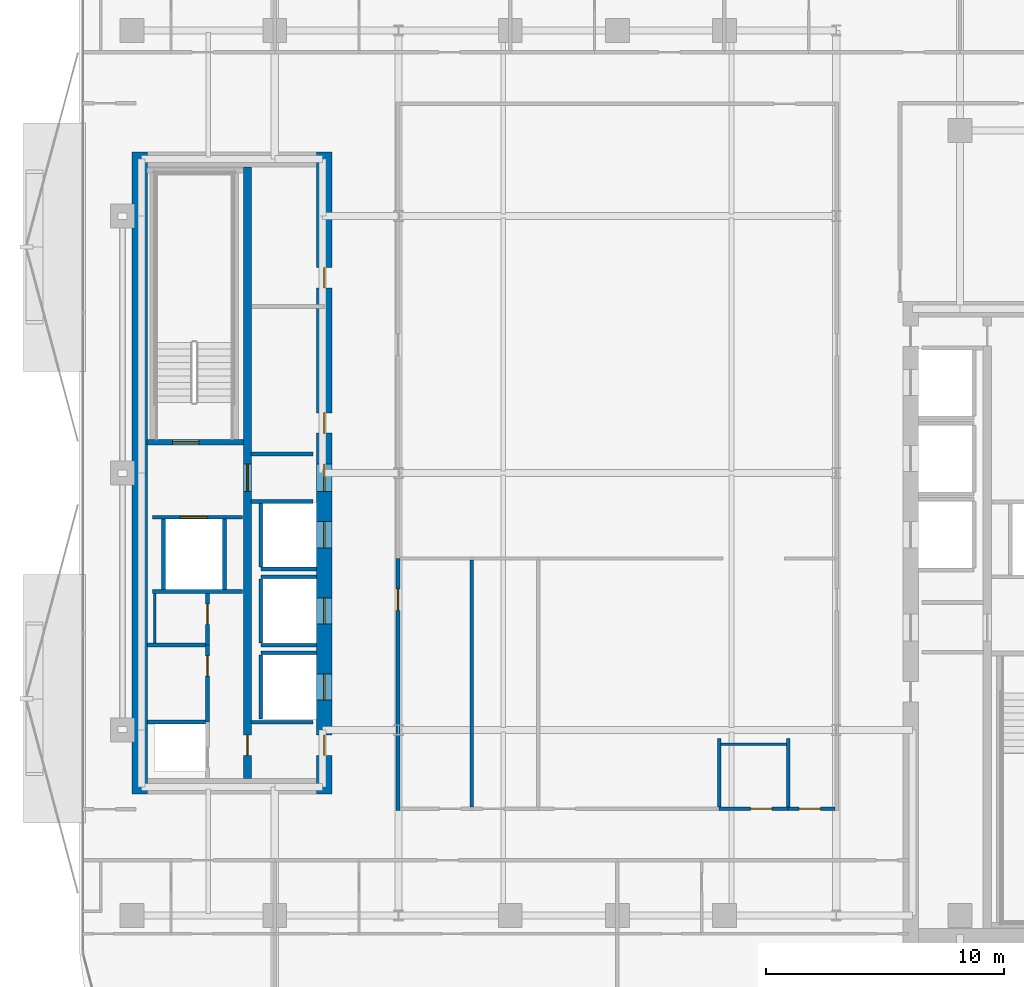
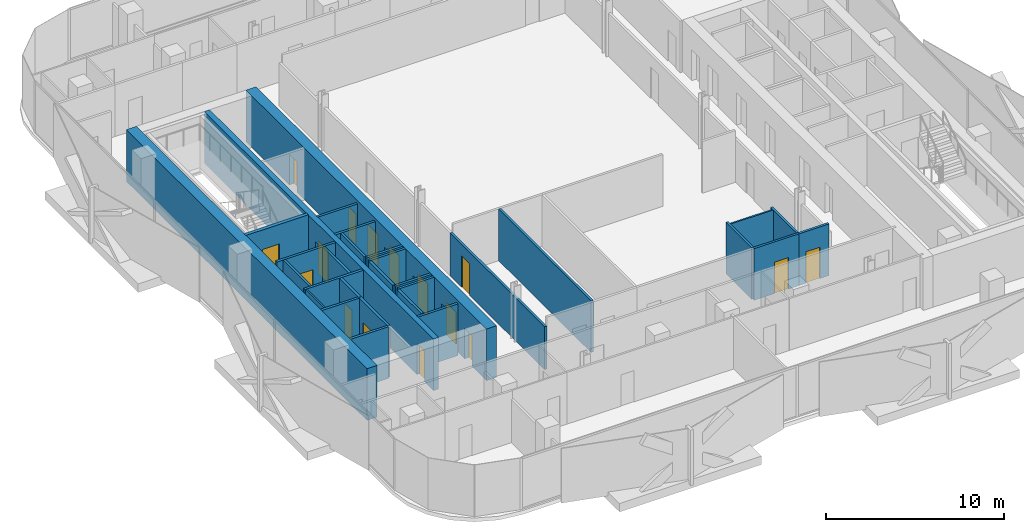
# One storey, part 4 of 17: 30 walls, 16 doors, 16 openings.
"""IFC4 building model written with IfcOpenShell, lengths in metres."""

import ifcopenshell
import ifcopenshell.guid

model = None  # the IFC model being written
_history = None  # IfcOwnerHistory: only IFC2X3 demands one
_inside = {}  # id of a spatial element -> (the spatial element, [elements in it])
_under = {}  # id of a project, library or spatial element -> (it, [spatial elements below it])
_declared = {}  # id of a project -> (the project, [libraries it declares])
_typed = {}  # id of a type object -> (the type object, [elements of that type])
_made_of = {}  # id of a material, layer set ... -> (it, [elements and type objects made of it])


def new_model(schema):
    """Start an empty IFC model of exactly this schema.

    Asked for "IFC4X3", IfcOpenShell would pick the latest addendum, in which some entities
    have other attributes; the version numbers below select the first issue.
    IFC2X3 requires an IfcOwnerHistory on every rooted entity: one is made here for all.
    """
    global model, _history
    if schema == "IFC4X3":
        model = ifcopenshell.file(schema_version=(4, 3, 0, 0))
    else:
        model = ifcopenshell.file(schema=schema)
    _inside.clear()
    _under.clear()
    _declared.clear()
    _typed.clear()
    _made_of.clear()
    _history = None
    if model.schema == "IFC2X3":
        org = make("IfcOrganization", Name="unknown")
        user = make(
            "IfcPersonAndOrganization",
            ThePerson=make("IfcPerson", FamilyName="unknown"),
            TheOrganization=org,
        )
        app = make(
            "IfcApplication",
            ApplicationDeveloper=org,
            Version="unknown",
            ApplicationFullName="unknown",
            ApplicationIdentifier="unknown",
        )
        _history = make(
            "IfcOwnerHistory",
            OwningUser=user,
            OwningApplication=app,
            ChangeAction="ADDED",
            CreationDate=0,
        )
    return model


def make(cls, **values):
    """One entity of the class cls with the attributes given. An attribute that is None is left unset."""
    return model.create_entity(
        cls, **{name: value for name, value in values.items() if value is not None}
    )


def rooted(cls, **values):
    """An entity with a GlobalId (a new one), such as an element, a storey or a relation."""
    return make(cls, GlobalId=ifcopenshell.guid.new(), OwnerHistory=_history, **values)


def si_unit(unit_type, name, prefix=None):
    """IfcSIUnit, for example si_unit("LENGTHUNIT", "METRE", prefix="MILLI")."""
    return make("IfcSIUnit", UnitType=unit_type, Prefix=prefix, Name=name)


def assignment(units):
    """IfcUnitAssignment: the units of a project."""
    return None if units is None else make("IfcUnitAssignment", Units=units)


def point(xyz):
    """IfcCartesianPoint."""
    return None if xyz is None else make("IfcCartesianPoint", Coordinates=xyz)


def direction(xyz):
    """IfcDirection."""
    return None if xyz is None else make("IfcDirection", DirectionRatios=xyz)


def frame(location, z_axis=None, x_axis=None):
    """IfcAxis2Placement3D, a coordinate frame: its origin and axes. An axis left out is left unset."""
    return make(
        "IfcAxis2Placement3D",
        Location=point(location),
        Axis=direction(z_axis),
        RefDirection=direction(x_axis),
    )


def frame_2d(location, x_axis=None):
    """IfcAxis2Placement2D, a coordinate frame in the plane: its origin and x axis."""
    return make(
        "IfcAxis2Placement2D", Location=point(location), RefDirection=direction(x_axis)
    )


def origin():
    """The frame at (0, 0, 0) with its axes left unset."""
    return frame((0.0, 0.0, 0.0))


def place(relative_to, where):
    """IfcLocalPlacement: puts the frame where relative to a parent placement (None: the world)."""
    return make(
        "IfcLocalPlacement", PlacementRelTo=relative_to, RelativePlacement=where
    )


def context(
    kind, dimensions, precision=None, world=None, true_north=None, identifier=None
):
    """IfcGeometricRepresentationContext, for example the 3D "Model" context."""
    return make(
        "IfcGeometricRepresentationContext",
        ContextIdentifier=identifier,
        ContextType=kind,
        CoordinateSpaceDimension=dimensions,
        Precision=precision,
        WorldCoordinateSystem=world,
        TrueNorth=true_north,
    )


def subcontext(parent, identifier, kind, view, scale=None):
    """IfcGeometricRepresentationSubContext, for example "Body" below "Model"."""
    return make(
        "IfcGeometricRepresentationSubContext",
        ContextIdentifier=identifier,
        ContextType=kind,
        ParentContext=parent,
        TargetScale=scale,
        TargetView=view,
    )


def project(units=None, contexts=None):
    """IfcProject with its units and contexts."""
    return rooted(
        "IfcProject",
        Name="project",
        RepresentationContexts=contexts,
        UnitsInContext=assignment(units),
    )


def spatial(cls, under=None, at=None, **own):
    """A site, building, storey or space (cls), placed at a placement, below another one or the project."""
    s = rooted(cls, ObjectPlacement=at, **own)
    if under is not None:
        _under.setdefault(under.id(), (under, []))[1].append(s)
    return s


def profile(cls, at=None, kind="AREA", **sizes):
    """A parametric profile (cls). Its sizes go by their IFC names, for example OverallWidth=200.0."""
    return make(cls, ProfileType=kind, Position=at, **sizes)


def rectangle(**sizes):
    """IfcRectangleProfileDef."""
    return profile("IfcRectangleProfileDef", **sizes)


def extrude(swept, where, along, depth):
    """IfcExtrudedAreaSolid: the profile swept, set in the frame where, extruded along a direction by depth."""
    return make(
        "IfcExtrudedAreaSolid",
        SweptArea=swept,
        Position=where,
        ExtrudedDirection=direction(along),
        Depth=depth,
    )


def shape(context_of_items, identifier, shape_type, items):
    """IfcShapeRepresentation: the items that make up one representation, for example the "Body"."""
    return make(
        "IfcShapeRepresentation",
        ContextOfItems=context_of_items,
        RepresentationIdentifier=identifier,
        RepresentationType=shape_type,
        Items=items,
    )


def material(Name=None, Category=None):
    """IfcMaterial."""
    return make("IfcMaterial", Name=Name, Category=Category)


def layer(
    of_material, thickness, ventilated=None, Name=None, Category=None, Priority=None
):
    """IfcMaterialLayer: one layer of a wall or slab, of a material (None: an air gap)."""
    return make(
        "IfcMaterialLayer",
        Material=of_material,
        LayerThickness=thickness,
        IsVentilated=ventilated,
        Name=Name,
        Category=Category,
        Priority=Priority,
    )


def layer_set(layers, Name=None):
    """IfcMaterialLayerSet."""
    return make("IfcMaterialLayerSet", MaterialLayers=layers, LayerSetName=Name)


def made_of(thing, what):
    """Note that an element or type object is made of a material, layer set ...; save() writes the relation."""
    if what is not None:
        _made_of.setdefault(what.id(), (what, []))[1].append(thing)
    return thing


def type_object(cls, material=None, **own):
    """A type object (cls), such as IfcWallType, which elements share."""
    return made_of(rooted(cls, **own), material)


def element(
    cls,
    number,
    at=None,
    inside=None,
    cuts=None,
    type_object=None,
    material=None,
    context=None,
    identifier="Body",
    shape_type=None,
    held_by="IfcProductDefinitionShape",
    body=None,
    shapes=None,
    **own,
):
    """One element of the class cls, such as IfcWall. Its Tag is "e" and its number.

    at: its placement. inside: the storey or other place that contains it. cuts: it is an
    opening in that element (IfcRelVoidsElement). A single representation is given by context,
    identifier, shape_type and body (its items); several are given by shapes. held_by: the class
    of the entity that holds the representations. save() writes the other relations.
    """
    e = rooted(cls, Tag="e%d" % number, ObjectPlacement=at, **own)
    if body is not None:
        shapes = [shape(context, identifier, shape_type, body)]
    if shapes is not None:
        e.Representation = make(held_by, Representations=shapes)
    if inside is not None:
        _inside.setdefault(inside.id(), (inside, []))[1].append(e)
    if cuts is not None:
        rooted(
            "IfcRelVoidsElement", RelatingBuildingElement=cuts, RelatedOpeningElement=e
        )
    if type_object is not None:
        _typed.setdefault(type_object.id(), (type_object, []))[1].append(e)
    return made_of(e, material)


def fill(opening, filler):
    """IfcRelFillsElement: the door or window that sits in an opening."""
    return rooted(
        "IfcRelFillsElement",
        RelatingOpeningElement=opening,
        RelatedBuildingElement=filler,
    )


def aggregate(whole, parts):
    """IfcRelAggregates: a whole, such as a stair, and the parts it consists of."""
    return rooted("IfcRelAggregates", RelatingObject=whole, RelatedObjects=parts)


def save(model, path):
    """Write the relations noted so far, then the file.

    IfcRelAggregates (storeys below a building ...), IfcRelContainedInSpatialStructure (elements
    in a storey), IfcRelDefinesByType, IfcRelAssociatesMaterial and IfcRelDeclares: one each for
    every whole, place, type object, material and project.
    """
    for whole, parts in _under.values():
        aggregate(whole, parts)
    for where, things in _inside.values():
        rooted(
            "IfcRelContainedInSpatialStructure",
            RelatedElements=things,
            RelatingStructure=where,
        )
    for kind, things in _typed.values():
        rooted("IfcRelDefinesByType", RelatedObjects=things, RelatingType=kind)
    for what, things in _made_of.values():
        rooted("IfcRelAssociatesMaterial", RelatedObjects=things, RelatingMaterial=what)
    for by, libraries in _declared.values():
        rooted("IfcRelDeclares", RelatingContext=by, RelatedDefinitions=libraries)
    model.write(path)


model = new_model("IFC4")

# Units and contexts
model_context = context("Model", 3, precision=1e-05, world=origin(), true_north=direction((0.0, 1.0)))
body_context = subcontext(model_context, "Body", "Model", "MODEL_VIEW")
ifc_project = project(units=[si_unit("LENGTHUNIT", "METRE"), si_unit("AREAUNIT", "SQUARE_METRE"), si_unit("VOLUMEUNIT", "CUBIC_METRE"), si_unit("PLANEANGLEUNIT", "RADIAN"), si_unit("MASSUNIT", "GRAM", prefix="KILO")], contexts=[model_context])

# Site, building, storey
site_placement = place(None, origin())
site = spatial("IfcSite", under=ifc_project, at=site_placement, CompositionType="ELEMENT")
building_placement = place(site_placement, origin())
building = spatial("IfcBuilding", under=site, at=building_placement, Name="Khairoan Windgate Tower", CompositionType="ELEMENT")
storey_placement = place(building_placement, frame((0.0, 0.0, 165.0)))
storey = spatial("IfcBuildingStorey", under=building, at=storey_placement, Name="L37", CompositionType="ELEMENT", Elevation=165.0)

# Walls
ifc_material_1 = material(Name="Moisture-Resistant Gypsum Partition", Category="gypsum")
ifc_layer_1 = layer(ifc_material_1, 0.10009765625, Name="Moisture-Resistant Gypsum Partition")
ifc_layer_set_1 = layer_set([ifc_layer_1], Name="Moisture-Resistant Gypsum Partition")
wall_type_1 = type_object("IfcWallType", Name="Bathroom Wet-Area Partition Wall", PredefinedType="PARTITIONING", material=ifc_layer_set_1)
wall_1_placement = place(storey_placement, frame((-19.449951171875, -7.14990234375, 0.0), z_axis=(0.0, 0.0, 1.0), x_axis=(0.0, 1.0, 0.0)))
element("IfcWall", 1, at=wall_1_placement, inside=storey, type_object=wall_type_1, Name="L37 Wet Room Side Wall 087", PredefinedType="PARTITIONING", context=body_context, shape_type="SweptSolid", body=[
    extrude(rectangle(XDim=2.08984375, YDim=0.10009765625, at=frame_2d((1.044921875, 0.0))), origin(), (0.0, 0.0, 1.0), 3.5400390625),
])
wall_2_placement = place(storey_placement, frame((4.35009765625, -11.39990234375, 0.0), z_axis=(0.0, 0.0, 1.0), x_axis=(1.0, 0.0, 0.0)))
element("IfcWall", 2, at=wall_2_placement, inside=storey, type_object=wall_type_1, Name="L37 Wet Room Side Wall 089", PredefinedType="PARTITIONING", context=body_context, shape_type="SweptSolid", body=[
    extrude(rectangle(XDim=2.760009765625, YDim=0.10009765625, at=frame_2d((1.3798828125, 0.0))), origin(), (0.0, 0.0, 1.0), 3.5400390625),
])
ifc_material_2 = material(Name="Concrete C40/50", Category="concrete")
ifc_layer_2 = layer(ifc_material_2, 0.159912109375, Name="Concrete C40/50")
ifc_layer_set_2 = layer_set([ifc_layer_2], Name="Concrete C40/50")
wall_type_2 = type_object("IfcWallType", Name="Core and Hoistway Enclosure Wall", PredefinedType="STANDARD", material=ifc_layer_set_2)
wall_3_placement = place(storey_placement, frame((-14.989990234375, -4.0400390625, 0.0), z_axis=(0.0, 0.0, 1.0), x_axis=(1.0, 0.0, 0.0)))
element("IfcWall", 3, at=wall_3_placement, inside=storey, type_object=wall_type_2, Name="L37 Lift PL4 Hoistway Divider S", PredefinedType="STANDARD", context=body_context, shape_type="SweptSolid", body=[
    extrude(rectangle(XDim=2.340087890625, YDim=0.159912109375, at=frame_2d((1.169921875, 0.0))), origin(), (0.0, 0.0, 1.0), 3.5400390625),
])
wall_4_placement = place(storey_placement, frame((-14.989990234375, -3.949951171875, 0.0), z_axis=(0.0, 0.0, 1.0), x_axis=(0.0, 1.0, 0.0)))
element("IfcWall", 4, at=wall_4_placement, inside=storey, type_object=wall_type_2, Name="L37 Lift PL4 Hoistway Back Wall", PredefinedType="STANDARD", context=body_context, shape_type="SweptSolid", body=[
    extrude(rectangle(XDim=2.699951171875, YDim=0.159912109375, at=frame_2d((1.35009765625, 0.0))), origin(), (0.0, 0.0, 1.0), 3.5400390625),
])
for number, where, z_axis, x_axis, name in (
    (5, (-14.989990234375, -7.239990234375, 0.0), (0.0, 0.0, 1.0), (1.0, 0.0, 0.0), "L37 Lift PL5 Hoistway Divider S"),
    (6, (-14.989990234375, -4.360107421875, 0.0), (0.0, 0.0, 1.0), (1.0, 0.0, 0.0), "L37 Lift PL5 Hoistway Divider N"),
):
    element("IfcWall", number, at=place(storey_placement, frame(where, z_axis=z_axis, x_axis=x_axis)), inside=storey, type_object=wall_type_2, Name=name, PredefinedType="STANDARD", context=body_context, shape_type="SweptSolid", body=[
        extrude(rectangle(XDim=2.340087890625, YDim=0.159912109375, at=frame_2d((1.169921875, 0.0))), origin(), (0.0, 0.0, 1.0), 3.5400390625),
    ])
wall_5_placement = place(storey_placement, frame((-14.989990234375, -7.14990234375, 0.0), z_axis=(0.0, 0.0, 1.0), x_axis=(0.0, 1.0, 0.0)))
element("IfcWall", 7, at=wall_5_placement, inside=storey, type_object=wall_type_2, Name="L37 Lift PL5 Hoistway Back Wall", PredefinedType="STANDARD", context=body_context, shape_type="SweptSolid", body=[
    extrude(rectangle(XDim=2.699951171875, YDim=0.159912109375, at=frame_2d((1.35009765625, 0.0))), origin(), (0.0, 0.0, 1.0), 3.5400390625),
])
wall_6_placement = place(storey_placement, frame((-14.989990234375, -7.56005859375, 0.0), z_axis=(0.0, 0.0, 1.0), x_axis=(1.0, 0.0, 0.0)))
element("IfcWall", 8, at=wall_6_placement, inside=storey, type_object=wall_type_2, Name="L37 Lift PL6 Hoistway Divider N", PredefinedType="STANDARD", context=body_context, shape_type="SweptSolid", body=[
    extrude(rectangle(XDim=2.340087890625, YDim=0.159912109375, at=frame_2d((1.169921875, 0.0))), origin(), (0.0, 0.0, 1.0), 3.5400390625),
])
wall_7_placement = place(storey_placement, frame((-14.989990234375, -10.35009765625, 0.0), z_axis=(0.0, 0.0, 1.0), x_axis=(0.0, 1.0, 0.0)))
element("IfcWall", 9, at=wall_7_placement, inside=storey, type_object=wall_type_2, Name="L37 Lift PL6 Hoistway Back Wall", PredefinedType="STANDARD", context=body_context, shape_type="SweptSolid", body=[
    extrude(rectangle(XDim=2.7001953125, YDim=0.159912109375, at=frame_2d((1.35009765625, 0.0))), origin(), (0.0, 0.0, 1.0), 3.5400390625),
])

# Wall, opening, door
wall_8_placement = place(storey_placement, frame((-19.550048828125, -1.860107421875, 0.0), z_axis=(0.0, 0.0, 1.0), x_axis=(1.0, 0.0, 0.0)))
wall_8 = element("IfcWall", 10, at=wall_8_placement, inside=storey, type_object=wall_type_2, Name="L37 Core Shaft Wall SW-FL2-L37", PredefinedType="STANDARD", context=body_context, shape_type="SweptSolid", body=[
    extrude(rectangle(XDim=3.800048828125, YDim=0.159912109375, at=frame_2d((1.89990234375, 0.0))), origin(), (0.0, 0.0, 1.0), 3.5400390625),
])
opening_1_placement = place(wall_8_placement, frame((1.179931640625, 0.0, 0.0)))
opening_1 = element("IfcOpeningElement", 11, at=opening_1_placement, cuts=wall_8, Name="Opening LD-FL", PredefinedType="OPENING", context=body_context, shape_type="SweptSolid", body=[
    extrude(rectangle(XDim=1.14990234375, YDim=2.199951171875, at=frame_2d((0.574951171875, 1.10009765625))), frame((0.0, 0.08984375, 0.0), z_axis=(0.0, -1.0, 0.0), x_axis=(1.0, 0.0, 0.0)), (0.0, 0.0, 1.0), 0.179931640625),
])
ifc_material_3 = material(Name="Steel S355", Category="steel")
door_type_1 = type_object("IfcDoorType", Name="Firefighting Lift Sliding Landing Door LD-FL 1150x2200", OperationType="DOUBLE_DOOR_SLIDING", PredefinedType="DOOR", material=ifc_material_3)
door_1_placement = place(opening_1_placement, origin())
door_1 = element("IfcDoor", 12, at=door_1_placement, inside=storey, type_object=door_type_1, Name="L37 Firefighting Lift FL2 Landing Door", OperationType="DOUBLE_DOOR_SLIDING", OverallHeight=2.199951171875, OverallWidth=1.14990234375, PredefinedType="DOOR", context=body_context, shape_type="SweptSolid", body=[
    extrude(rectangle(XDim=1.14990234375, YDim=2.199951171875, at=frame_2d((0.574951171875, 1.10009765625))), frame((0.0, 0.02490234375, 0.0), z_axis=(0.0, -1.0, 0.0), x_axis=(1.0, 0.0, 0.0)), (0.0, 0.0, 1.0), 0.050048828125),
])
fill(opening_1, door_1)

# Walls
wall_9_placement = place(storey_placement, frame((-19.550048828125, -4.97998046875, 0.0), z_axis=(0.0, 0.0, 1.0), x_axis=(1.0, 0.0, 0.0)))
element("IfcWall", 13, at=wall_9_placement, inside=storey, type_object=wall_type_2, Name="L37 Core Shaft Wall SW-FL2B-L37", PredefinedType="STANDARD", context=body_context, shape_type="SweptSolid", body=[
    extrude(rectangle(XDim=3.800048828125, YDim=0.159912109375, at=frame_2d((1.89990234375, 0.0))), origin(), (0.0, 0.0, 1.0), 3.5400390625),
])
for number, where, z_axis, x_axis, name in (
    (14, (-19.080078125, -4.89990234375, 0.0), (0.0, 0.0, 1.0), (0.0, 1.0, 0.0), "L37 Core Shaft Wall SW-FL2W-L37"),
    (15, (-16.52001953125, -4.89990234375, 0.0), (0.0, 0.0, 1.0), (0.0, 1.0, 0.0), "L37 Core Shaft Wall SW-FL2E-L37"),
):
    element("IfcWall", number, at=place(storey_placement, frame(where, z_axis=z_axis, x_axis=x_axis)), inside=storey, type_object=wall_type_2, Name=name, PredefinedType="STANDARD", context=body_context, shape_type="SweptSolid", body=[
        extrude(rectangle(XDim=2.9599609375, YDim=0.159912109375, at=frame_2d((1.47998046875, 0.0))), origin(), (0.0, 0.0, 1.0), 3.5400390625),
    ])
for number, where, z_axis, x_axis, name in (
    (16, (-15.39990234375, 0.800048828125, 0.0), (0.0, 0.0, 1.0), (1.0, 0.0, 0.0), "L37 Core Shaft Wall SW-WV1-L37"),
    (17, (-15.39990234375, -1.199951171875, 0.0), (0.0, 0.0, 1.0), (1.0, 0.0, 0.0), "L37 Core Shaft Wall SW-WV2-L37"),
    (18, (-15.39990234375, -10.47998046875, 0.0), (0.0, 0.0, 1.0), (1.0, 0.0, 0.0), "L37 Core Shaft Wall SW-WSV-L37"),
):
    element("IfcWall", number, at=place(storey_placement, frame(where, z_axis=z_axis, x_axis=x_axis)), inside=storey, type_object=wall_type_2, Name=name, PredefinedType="STANDARD", context=body_context, shape_type="SweptSolid", body=[
        extrude(rectangle(XDim=2.599853515625, YDim=0.159912109375, at=frame_2d((1.2998046875, 0.0))), origin(), (0.0, 0.0, 1.0), 3.5400390625),
    ])
ifc_material_4 = material(Name="Acoustic Fire-Rated Gypsum Partition", Category="gypsum")
ifc_layer_3 = layer(ifc_material_4, 0.139892578125, Name="Acoustic Fire-Rated Gypsum Partition")
ifc_layer_set_3 = layer_set([ifc_layer_3], Name="Acoustic Fire-Rated Gypsum Partition")
wall_type_3 = type_object("IfcWallType", Name="Inter-Tenancy Compartment Wall", PredefinedType="PARTITIONING", material=ifc_layer_set_3)
wall_10_placement = place(storey_placement, frame((-6.1201171875, -14.044921875, 0.0), z_axis=(0.0, 0.0, 1.0), x_axis=(0.0, 1.0, 0.0)))
element("IfcWall", 19, at=wall_10_placement, inside=storey, type_object=wall_type_3, Name="L37 Interior Partition 042", PredefinedType="PARTITIONING", context=body_context, shape_type="SweptSolid", body=[
    extrude(rectangle(XDim=10.375, YDim=0.139892578125, at=frame_2d((5.1875, 0.0))), origin(), (0.0, 0.0, 1.0), 3.5400390625),
])
for number, where, z_axis, x_axis, name in (
    (20, (4.280029296875, -14.044921875, 0.0), (0.0, 0.0, 1.0), (0.0, 1.0, 0.0), "L37 Interior Partition 046"),
    (21, (7.179931640625, -14.044921875, 0.0), (0.0, 0.0, 1.0), (0.0, 1.0, 0.0), "L37 Interior Partition 048"),
):
    element("IfcWall", number, at=place(storey_placement, frame(where, z_axis=z_axis, x_axis=x_axis)), inside=storey, type_object=wall_type_3, Name=name, PredefinedType="PARTITIONING", context=body_context, shape_type="SweptSolid", body=[
        extrude(rectangle(XDim=2.885009765625, YDim=0.139892578125, at=frame_2d((1.4423828125, 0.0))), origin(), (0.0, 0.0, 1.0), 3.5400390625),
    ])

# Wall, opening, door
ifc_material_5 = material(Name="Concrete C40/50", Category="concrete")
ifc_layer_4 = layer(ifc_material_5, 0.159912109375, Name="Concrete C40/50")
ifc_layer_set_4 = layer_set([ifc_layer_4], Name="Concrete C40/50")
wall_type_4 = type_object("IfcWallType", Name="Plant and Refuge Compartment Wall", PredefinedType="PARTITIONING", material=ifc_layer_set_4)
wall_11_placement = place(storey_placement, frame((-17.22998046875, -7.22998046875, 0.0), z_axis=(0.0, 0.0, 1.0), x_axis=(0.0, 1.0, 0.0)))
wall_11 = element("IfcWall", 22, at=wall_11_placement, inside=storey, type_object=wall_type_4, Name="L37 Interior Partition 002", PredefinedType="PARTITIONING", context=body_context, shape_type="SweptSolid", body=[
    extrude(rectangle(XDim=2.169921875, YDim=0.159912109375, at=frame_2d((1.0849609375, 0.0))), origin(), (0.0, 0.0, 1.0), 3.5400390625),
])
opening_2_placement = place(wall_11_placement, frame((0.860107421875, 0.0, 0.0)))
opening_2 = element("IfcOpeningElement", 23, at=opening_2_placement, cuts=wall_11, Name="Opening FD-SRV", PredefinedType="OPENING", context=body_context, shape_type="SweptSolid", body=[
    extrude(rectangle(XDim=0.85009765625, YDim=2.10009765625, at=frame_2d((0.425048828125, 1.050048828125))), frame((0.0, 0.08984375, 0.0), z_axis=(0.0, -1.0, 0.0), x_axis=(1.0, 0.0, 0.0)), (0.0, 0.0, 1.0), 0.179931640625),
])
ifc_material_6 = material(Name="Steel S355", Category="steel")
door_type_2 = type_object("IfcDoorType", Name="Core Service and Riser Fire Door FD-SRV 850x2100", OperationType="NOTDEFINED", PredefinedType="DOOR", material=ifc_material_6)
door_2_placement = place(opening_2_placement, origin())
door_2 = element("IfcDoor", 24, at=door_2_placement, inside=storey, type_object=door_type_2, Name="L37 L37-04-L37-06 Door", OperationType="SINGLE_SWING_LEFT", OverallHeight=2.10009765625, OverallWidth=0.85009765625, PredefinedType="DOOR", context=body_context, shape_type="SweptSolid", body=[
    extrude(rectangle(XDim=0.85009765625, YDim=2.10009765625, at=frame_2d((0.425048828125, 1.050048828125))), frame((0.0, 0.02490234375, 0.0), z_axis=(0.0, -1.0, 0.0), x_axis=(1.0, 0.0, 0.0)), (0.0, 0.0, 1.0), 0.050048828125),
])
fill(opening_2, door_2)

wall_12_placement = place(storey_placement, frame((-17.22998046875, -10.469970703125, 0.0), z_axis=(0.0, 0.0, 1.0), x_axis=(0.0, 1.0, 0.0)))
wall_12 = element("IfcWall", 25, at=wall_12_placement, inside=storey, type_object=wall_type_4, Name="L37 Interior Partition 003", PredefinedType="PARTITIONING", context=body_context, shape_type="SweptSolid", body=[
    extrude(rectangle(XDim=3.239990234375, YDim=0.159912109375, at=frame_2d((1.6201171875, 0.0))), origin(), (0.0, 0.0, 1.0), 3.5400390625),
])
opening_3_placement = place(wall_12_placement, frame((1.929931640625, 0.0, 0.0)))
opening_3 = element("IfcOpeningElement", 26, at=opening_3_placement, cuts=wall_12, Name="Opening FD-SRV", PredefinedType="OPENING", context=body_context, shape_type="SweptSolid", body=[
    extrude(rectangle(XDim=0.85009765625, YDim=2.10009765625, at=frame_2d((0.425048828125, 1.050048828125))), frame((0.0, 0.08984375, 0.0), z_axis=(0.0, -1.0, 0.0), x_axis=(1.0, 0.0, 0.0)), (0.0, 0.0, 1.0), 0.179931640625),
])
door_3_placement = place(opening_3_placement, origin())
door_3 = element("IfcDoor", 27, at=door_3_placement, inside=storey, type_object=door_type_2, Name="L37 L37-04-L37-07 Door", OperationType="SINGLE_SWING_RIGHT", OverallHeight=2.10009765625, OverallWidth=0.85009765625, PredefinedType="DOOR", context=body_context, shape_type="SweptSolid", body=[
    extrude(rectangle(XDim=0.85009765625, YDim=2.10009765625, at=frame_2d((0.425048828125, 1.050048828125))), frame((0.0, 0.02490234375, 0.0), z_axis=(0.0, -1.0, 0.0), x_axis=(1.0, 0.0, 0.0)), (0.0, 0.0, 1.0), 0.050048828125),
])
fill(opening_3, door_3)

# Walls
for number, where, z_axis, x_axis, name in (
    (28, (-19.75, -10.469970703125, 0.0), (0.0, 0.0, 1.0), (1.0, 0.0, 0.0), "L37 Interior Partition 004"),
    (29, (-19.75, -7.22998046875, 0.0), (0.0, 0.0, 1.0), (1.0, 0.0, 0.0), "L37 Interior Partition 005"),
):
    element("IfcWall", number, at=place(storey_placement, frame(where, z_axis=z_axis, x_axis=x_axis)), inside=storey, type_object=wall_type_4, Name=name, PredefinedType="PARTITIONING", context=body_context, shape_type="SweptSolid", body=[
        extrude(rectangle(XDim=2.43994140625, YDim=0.159912109375, at=frame_2d((1.219970703125, 0.0))), origin(), (0.0, 0.0, 1.0), 3.5400390625),
    ])

# Wall, opening, door
ifc_material_7 = material(Name="Acoustic Fire-Rated Gypsum Partition", Category="gypsum")
ifc_layer_5 = layer(ifc_material_7, 0.14990234375, Name="Acoustic Fire-Rated Gypsum Partition")
ifc_layer_set_5 = layer_set([ifc_layer_5], Name="Acoustic Fire-Rated Gypsum Partition")
wall_type_5 = type_object("IfcWallType", Name="Rated Corridor Partition Wall", PredefinedType="PARTITIONING", material=ifc_layer_set_5)
wall_13_placement = place(storey_placement, frame((-9.219970703125, -14.195068359375, 0.0), z_axis=(0.0, 0.0, 1.0), x_axis=(0.0, 1.0, 0.0)))
wall_13 = element("IfcWall", 30, at=wall_13_placement, inside=storey, type_object=wall_type_5, Name="L37 Interior Partition 012", PredefinedType="PARTITIONING", context=body_context, shape_type="SweptSolid", body=[
    extrude(rectangle(XDim=10.594970703125, YDim=0.14990234375, at=frame_2d((5.29736328125, 0.0))), origin(), (0.0, 0.0, 1.0), 2.951904296875),
])
opening_4_placement = place(wall_13_placement, frame((8.418701171875, 0.0, 0.0)))
opening_4 = element("IfcOpeningElement", 31, at=opening_4_placement, cuts=wall_13, Name="Opening FD-ENT", PredefinedType="OPENING", context=body_context, shape_type="SweptSolid", body=[
    extrude(rectangle(XDim=0.89990234375, YDim=2.14990234375, at=frame_2d((0.449951171875, 1.074951171875))), frame((0.0, 0.0849609375, 0.0), z_axis=(0.0, -1.0, 0.0), x_axis=(1.0, 0.0, 0.0)), (0.0, 0.0, 1.0), 0.169921875),
])
ifc_material_8 = material(Name="Timber Fire-Rated Core", Category="wood")
door_type_3 = type_object("IfcDoorType", Name="Unit and Office Fire Entrance Door FD-ENT 900x2150", OperationType="NOTDEFINED", PredefinedType="DOOR", material=ifc_material_8)
door_4_placement = place(opening_4_placement, origin())
door_4 = element("IfcDoor", 32, at=door_4_placement, inside=storey, type_object=door_type_3, Name="L37 L37-28-L37-32 Door", OperationType="SINGLE_SWING_RIGHT", OverallHeight=2.14990234375, OverallWidth=0.89990234375, PredefinedType="DOOR", context=body_context, shape_type="SweptSolid", body=[
    extrude(rectangle(XDim=0.89990234375, YDim=2.14990234375, at=frame_2d((0.449951171875, 1.074951171875))), frame((0.0, 0.02490234375, 0.0), z_axis=(0.0, -1.0, 0.0), x_axis=(1.0, 0.0, 0.0)), (0.0, 0.0, 1.0), 0.050048828125),
])
fill(opening_4, door_4)

wall_14_placement = place(storey_placement, frame((4.280029296875, -14.1201171875, 0.0), z_axis=(0.0, 0.0, 1.0), x_axis=(1.0, 0.0, 0.0)))
wall_14 = element("IfcWall", 33, at=wall_14_placement, inside=storey, type_object=wall_type_5, Name="L37 Interior Partition 033", PredefinedType="PARTITIONING", context=body_context, shape_type="SweptSolid", body=[
    extrude(rectangle(XDim=2.89990234375, YDim=0.14990234375, at=frame_2d((1.449951171875, 0.0))), origin(), (0.0, 0.0, 1.0), 3.5400390625),
])
opening_5_placement = place(wall_14_placement, frame((1.323974609375, 0.0, 0.0)))
opening_5 = element("IfcOpeningElement", 34, at=opening_5_placement, cuts=wall_14, Name="Opening FD-ENT", PredefinedType="OPENING", context=body_context, shape_type="SweptSolid", body=[
    extrude(rectangle(XDim=0.89990234375, YDim=2.14990234375, at=frame_2d((0.449951171875, 1.074951171875))), frame((0.0, 0.0849609375, 0.0), z_axis=(0.0, -1.0, 0.0), x_axis=(1.0, 0.0, 0.0)), (0.0, 0.0, 1.0), 0.169921875),
])
door_5_placement = place(opening_5_placement, origin())
door_5 = element("IfcDoor", 35, at=door_5_placement, inside=storey, type_object=door_type_3, Name="L37 L37-31-L37-35 Door", OperationType="SINGLE_SWING_RIGHT", OverallHeight=2.14990234375, OverallWidth=0.89990234375, PredefinedType="DOOR", context=body_context, shape_type="SweptSolid", body=[
    extrude(rectangle(XDim=0.89990234375, YDim=2.14990234375, at=frame_2d((0.449951171875, 1.074951171875))), frame((0.0, 0.02490234375, 0.0), z_axis=(0.0, -1.0, 0.0), x_axis=(1.0, 0.0, 0.0)), (0.0, 0.0, 1.0), 0.050048828125),
])
fill(opening_5, door_5)

wall_15_placement = place(storey_placement, frame((7.179931640625, -14.1201171875, 0.0), z_axis=(0.0, 0.0, 1.0), x_axis=(1.0, 0.0, 0.0)))
wall_15 = element("IfcWall", 36, at=wall_15_placement, inside=storey, type_object=wall_type_5, Name="L37 Interior Partition 034", PredefinedType="PARTITIONING", context=body_context, shape_type="SweptSolid", body=[
    extrude(rectangle(XDim=1.965087890625, YDim=0.14990234375, at=frame_2d((0.982421875, 0.0))), origin(), (0.0, 0.0, 1.0), 3.5400390625),
])
opening_6_placement = place(wall_15_placement, frame((0.4599609375, 0.0, 0.0)))
opening_6 = element("IfcOpeningElement", 37, at=opening_6_placement, cuts=wall_15, Name="Opening FD-ENT", PredefinedType="OPENING", context=body_context, shape_type="SweptSolid", body=[
    extrude(rectangle(XDim=0.89990234375, YDim=2.14990234375, at=frame_2d((0.449951171875, 1.074951171875))), frame((0.0, 0.0849609375, 0.0), z_axis=(0.0, -1.0, 0.0), x_axis=(1.0, 0.0, 0.0)), (0.0, 0.0, 1.0), 0.169921875),
])
door_6_placement = place(opening_6_placement, origin())
door_6 = element("IfcDoor", 38, at=door_6_placement, inside=storey, type_object=door_type_3, Name="L37 L37-31-L37-36 Door", OperationType="SINGLE_SWING_LEFT", OverallHeight=2.14990234375, OverallWidth=0.89990234375, PredefinedType="DOOR", context=body_context, shape_type="SweptSolid", body=[
    extrude(rectangle(XDim=0.89990234375, YDim=2.14990234375, at=frame_2d((0.449951171875, 1.074951171875))), frame((0.0, 0.02490234375, 0.0), z_axis=(0.0, -1.0, 0.0), x_axis=(1.0, 0.0, 0.0)), (0.0, 0.0, 1.0), 0.050048828125),
])
fill(opening_6, door_6)

# Wall
ifc_material_9 = material(Name="Concrete C60/75", Category="concrete")
ifc_layer_6 = layer(ifc_material_9, 0.64990234375, Name="Concrete C60/75")
ifc_layer_set_6 = layer_set([ifc_layer_6], Name="Concrete C60/75")
wall_type_6 = type_object("IfcWallType", Name="Shear Wall CW-W2 650mm", PredefinedType="SHEAR", material=ifc_layer_set_6)
wall_16_placement = place(storey_placement, frame((-20.074951171875, -13.5, 0.0), z_axis=(0.0, 0.0, 1.0), x_axis=(0.0, 1.0, 0.0)))
element("IfcWall", 39, at=wall_16_placement, inside=storey, type_object=wall_type_6, Name="W Core West Shear Wall L37", PredefinedType="SHEAR", context=body_context, shape_type="SweptSolid", body=[
    extrude(rectangle(XDim=27.0, YDim=0.64990234375, at=frame_2d((13.5, 0.0))), origin(), (0.0, 0.0, 1.0), 3.5400390625),
])

# Wall, openings, doors
wall_17_placement = place(storey_placement, frame((-12.324951171875, -13.5, 0.0), z_axis=(0.0, 0.0, 1.0), x_axis=(0.0, 1.0, 0.0)))
wall_17 = element("IfcWall", 40, at=wall_17_placement, inside=storey, type_object=wall_type_6, Name="W Core East Shear Wall L37", PredefinedType="SHEAR", context=body_context, shape_type="SweptSolid", body=[
    extrude(rectangle(XDim=27.0, YDim=0.64990234375, at=frame_2d((13.5, 0.0))), origin(), (0.0, 0.0, 1.0), 3.5400390625),
])
opening_7_placement = place(wall_17_placement, frame((10.35009765625, 0.0, 0.0)))
opening_7 = element("IfcOpeningElement", 41, at=opening_7_placement, cuts=wall_17, Name="Opening LD-PL", PredefinedType="OPENING", context=body_context, shape_type="SweptSolid", body=[
    extrude(rectangle(XDim=1.10009765625, YDim=2.199951171875, at=frame_2d((0.550048828125, 1.10009765625))), frame((0.0, 0.3349609375, 0.0), z_axis=(0.0, -1.0, 0.0), x_axis=(1.0, 0.0, 0.0)), (0.0, 0.0, 1.0), 0.669921875),
])
opening_8_placement = place(wall_17_placement, frame((7.14990234375, 0.0, 0.0)))
opening_8 = element("IfcOpeningElement", 42, at=opening_8_placement, cuts=wall_17, Name="Opening LD-PL", PredefinedType="OPENING", context=body_context, shape_type="SweptSolid", body=[
    extrude(rectangle(XDim=1.10009765625, YDim=2.199951171875, at=frame_2d((0.550048828125, 1.10009765625))), frame((0.0, 0.3349609375, 0.0), z_axis=(0.0, -1.0, 0.0), x_axis=(1.0, 0.0, 0.0)), (0.0, 0.0, 1.0), 0.669921875),
])
opening_9_placement = place(wall_17_placement, frame((3.949951171875, 0.0, 0.0)))
opening_9 = element("IfcOpeningElement", 43, at=opening_9_placement, cuts=wall_17, Name="Opening LD-PL", PredefinedType="OPENING", context=body_context, shape_type="SweptSolid", body=[
    extrude(rectangle(XDim=1.10009765625, YDim=2.199951171875, at=frame_2d((0.550048828125, 1.10009765625))), frame((0.0, 0.3349609375, 0.0), z_axis=(0.0, -1.0, 0.0), x_axis=(1.0, 0.0, 0.0)), (0.0, 0.0, 1.0), 0.669921875),
])
opening_10_placement = place(wall_17_placement, frame((15.175048828125, 0.0, 0.0)))
opening_10 = element("IfcOpeningElement", 44, at=opening_10_placement, cuts=wall_17, Name="Opening FD-SRV", PredefinedType="OPENING", context=body_context, shape_type="SweptSolid", body=[
    extrude(rectangle(XDim=0.85009765625, YDim=2.10009765625, at=frame_2d((0.425048828125, 1.050048828125))), frame((0.0, 0.3349609375, 0.0), z_axis=(0.0, -1.0, 0.0), x_axis=(1.0, 0.0, 0.0)), (0.0, 0.0, 1.0), 0.669921875),
])
opening_11_placement = place(wall_17_placement, frame((21.27490234375, 0.0, 0.0)))
opening_11 = element("IfcOpeningElement", 45, at=opening_11_placement, cuts=wall_17, Name="Opening FD-SRV", PredefinedType="OPENING", context=body_context, shape_type="SweptSolid", body=[
    extrude(rectangle(XDim=0.85009765625, YDim=2.10009765625, at=frame_2d((0.425048828125, 1.050048828125))), frame((0.0, 0.3349609375, 0.0), z_axis=(0.0, -1.0, 0.0), x_axis=(1.0, 0.0, 0.0)), (0.0, 0.0, 1.0), 0.669921875),
])
opening_12_placement = place(wall_17_placement, frame((12.72509765625, 0.0, 0.0)))
opening_12 = element("IfcOpeningElement", 46, at=opening_12_placement, cuts=wall_17, Name="Opening FD-FFL", PredefinedType="OPENING", context=body_context, shape_type="SweptSolid", body=[
    extrude(rectangle(XDim=1.14990234375, YDim=2.199951171875, at=frame_2d((0.574951171875, 1.10009765625))), frame((0.0, 0.3349609375, 0.0), z_axis=(0.0, -1.0, 0.0), x_axis=(1.0, 0.0, 0.0)), (0.0, 0.0, 1.0), 0.669921875),
])
opening_13_placement = place(wall_17_placement, frame((1.625, 0.0, 0.0)))
opening_13 = element("IfcOpeningElement", 47, at=opening_13_placement, cuts=wall_17, Name="Opening FD-SRV", PredefinedType="OPENING", context=body_context, shape_type="SweptSolid", body=[
    extrude(rectangle(XDim=0.85009765625, YDim=2.10009765625, at=frame_2d((0.425048828125, 1.050048828125))), frame((0.0, 0.3349609375, 0.0), z_axis=(0.0, -1.0, 0.0), x_axis=(1.0, 0.0, 0.0)), (0.0, 0.0, 1.0), 0.669921875),
])
door_7_placement = place(opening_10_placement, origin())
door_7 = element("IfcDoor", 48, at=door_7_placement, inside=storey, type_object=door_type_2, Name="L37 Upper Core Room Door B1-1", OperationType="SINGLE_SWING_LEFT", OverallHeight=2.10009765625, OverallWidth=0.85009765625, PredefinedType="DOOR", context=body_context, shape_type="SweptSolid", body=[
    extrude(rectangle(XDim=0.85009765625, YDim=2.10009765625, at=frame_2d((0.425048828125, 1.050048828125))), frame((0.0, 0.02490234375, 0.0), z_axis=(0.0, -1.0, 0.0), x_axis=(1.0, 0.0, 0.0)), (0.0, 0.0, 1.0), 0.050048828125),
])
fill(opening_10, door_7)
door_8_placement = place(opening_11_placement, origin())
door_8 = element("IfcDoor", 49, at=door_8_placement, inside=storey, type_object=door_type_2, Name="L37 Upper Core Room Door B1-2", OperationType="SINGLE_SWING_RIGHT", OverallHeight=2.10009765625, OverallWidth=0.85009765625, PredefinedType="DOOR", context=body_context, shape_type="SweptSolid", body=[
    extrude(rectangle(XDim=0.85009765625, YDim=2.10009765625, at=frame_2d((0.425048828125, 1.050048828125))), frame((0.0, 0.02490234375, 0.0), z_axis=(0.0, -1.0, 0.0), x_axis=(1.0, 0.0, 0.0)), (0.0, 0.0, 1.0), 0.050048828125),
])
fill(opening_11, door_8)
door_9_placement = place(opening_13_placement, origin())
door_9 = element("IfcDoor", 50, at=door_9_placement, inside=storey, type_object=door_type_2, Name="L37 West Core Service Vestibule Outer Door", OperationType="SINGLE_SWING_RIGHT", OverallHeight=2.10009765625, OverallWidth=0.85009765625, PredefinedType="DOOR", context=body_context, shape_type="SweptSolid", body=[
    extrude(rectangle(XDim=0.85009765625, YDim=2.10009765625, at=frame_2d((0.425048828125, 1.050048828125))), frame((0.0, 0.02490234375, 0.0), z_axis=(0.0, -1.0, 0.0), x_axis=(1.0, 0.0, 0.0)), (0.0, 0.0, 1.0), 0.050048828125),
])
fill(opening_13, door_9)
ifc_material_10 = material(Name="Steel S355", Category="steel")
door_type_4 = type_object("IfcDoorType", Name="Firefighting Lobby Fire Door FD-FFL 1150x2200", OperationType="NOTDEFINED", PredefinedType="DOOR", material=ifc_material_10)
door_10_placement = place(opening_12_placement, origin())
door_10 = element("IfcDoor", 51, at=door_10_placement, inside=storey, type_object=door_type_4, Name="L37 West Core Vestibule Entry Door", OperationType="SINGLE_SWING_RIGHT", OverallHeight=2.199951171875, OverallWidth=1.14990234375, PredefinedType="DOOR", context=body_context, shape_type="SweptSolid", body=[
    extrude(rectangle(XDim=1.14990234375, YDim=2.199951171875, at=frame_2d((0.574951171875, 1.10009765625))), frame((0.0, 0.02490234375, 0.0), z_axis=(0.0, -1.0, 0.0), x_axis=(1.0, 0.0, 0.0)), (0.0, 0.0, 1.0), 0.050048828125),
])
fill(opening_12, door_10)
ifc_material_11 = material(Name="Anodised Bronze Aluminium 6063-T6", Category="aluminium")
door_type_5 = type_object("IfcDoorType", Name="Passenger Lift Sliding Landing Door LD-PL 1100x2200", OperationType="DOUBLE_DOOR_SLIDING", PredefinedType="DOOR", material=ifc_material_11)
door_11_placement = place(opening_7_placement, origin())
door_11 = element("IfcDoor", 52, at=door_11_placement, inside=storey, type_object=door_type_5, Name="L37 Lift PL4 Sliding Landing Door", OperationType="DOUBLE_DOOR_SLIDING", OverallHeight=2.199951171875, OverallWidth=1.10009765625, PredefinedType="DOOR", context=body_context, shape_type="SweptSolid", body=[
    extrude(rectangle(XDim=1.10009765625, YDim=2.199951171875, at=frame_2d((0.550048828125, 1.10009765625))), frame((0.0, 0.02490234375, 0.0), z_axis=(0.0, -1.0, 0.0), x_axis=(1.0, 0.0, 0.0)), (0.0, 0.0, 1.0), 0.050048828125),
])
fill(opening_7, door_11)
door_12_placement = place(opening_8_placement, origin())
door_12 = element("IfcDoor", 53, at=door_12_placement, inside=storey, type_object=door_type_5, Name="L37 Lift PL5 Sliding Landing Door", OperationType="DOUBLE_DOOR_SLIDING", OverallHeight=2.199951171875, OverallWidth=1.10009765625, PredefinedType="DOOR", context=body_context, shape_type="SweptSolid", body=[
    extrude(rectangle(XDim=1.10009765625, YDim=2.199951171875, at=frame_2d((0.550048828125, 1.10009765625))), frame((0.0, 0.02490234375, 0.0), z_axis=(0.0, -1.0, 0.0), x_axis=(1.0, 0.0, 0.0)), (0.0, 0.0, 1.0), 0.050048828125),
])
fill(opening_8, door_12)
door_13_placement = place(opening_9_placement, origin())
door_13 = element("IfcDoor", 54, at=door_13_placement, inside=storey, type_object=door_type_5, Name="L37 Lift PL6 Sliding Landing Door", OperationType="DOUBLE_DOOR_SLIDING", OverallHeight=2.199951171875, OverallWidth=1.10009765625, PredefinedType="DOOR", context=body_context, shape_type="SweptSolid", body=[
    extrude(rectangle(XDim=1.10009765625, YDim=2.199951171875, at=frame_2d((0.550048828125, 1.10009765625))), frame((0.0, 0.02490234375, 0.0), z_axis=(0.0, -1.0, 0.0), x_axis=(1.0, 0.0, 0.0)), (0.0, 0.0, 1.0), 0.050048828125),
])
fill(opening_9, door_13)

ifc_material_12 = material(Name="Concrete C60/75", Category="concrete")
ifc_layer_7 = layer(ifc_material_12, 0.35009765625, Name="Concrete C60/75")
ifc_layer_set_7 = layer_set([ifc_layer_7], Name="Concrete C60/75")
wall_type_7 = type_object("IfcWallType", Name="Shear Wall SW-1 350mm", PredefinedType="SHEAR", material=ifc_layer_set_7)
wall_18_placement = place(storey_placement, frame((-15.550048828125, -12.85009765625, 0.0), z_axis=(0.0, 0.0, 1.0), x_axis=(0.0, 1.0, 0.0)))
wall_18 = element("IfcWall", 55, at=wall_18_placement, inside=storey, type_object=wall_type_7, Name="W Core Spine Shear Wall L37", PredefinedType="SHEAR", context=body_context, shape_type="SweptSolid", body=[
    extrude(rectangle(XDim=25.7001953125, YDim=0.35009765625, at=frame_2d((12.85009765625, 0.0))), origin(), (0.0, 0.0, 1.0), 3.5400390625),
])
opening_14_placement = place(wall_18_placement, frame((12.074951171875, 0.0, 0.0)))
opening_14 = element("IfcOpeningElement", 56, at=opening_14_placement, cuts=wall_18, Name="Opening FD-FFL", PredefinedType="OPENING", context=body_context, shape_type="SweptSolid", body=[
    extrude(rectangle(XDim=1.14990234375, YDim=2.199951171875, at=frame_2d((0.574951171875, 1.10009765625))), frame((0.0, 0.18505859375, 0.0), z_axis=(0.0, -1.0, 0.0), x_axis=(1.0, 0.0, 0.0)), (0.0, 0.0, 1.0), 0.3701171875),
])
opening_15_placement = place(wall_18_placement, frame((0.97509765625, 0.0, 0.0)))
opening_15 = element("IfcOpeningElement", 57, at=opening_15_placement, cuts=wall_18, Name="Opening FD-SRV", PredefinedType="OPENING", context=body_context, shape_type="SweptSolid", body=[
    extrude(rectangle(XDim=0.85009765625, YDim=2.10009765625, at=frame_2d((0.425048828125, 1.050048828125))), frame((0.0, 0.18505859375, 0.0), z_axis=(0.0, -1.0, 0.0), x_axis=(1.0, 0.0, 0.0)), (0.0, 0.0, 1.0), 0.3701171875),
])
door_14_placement = place(opening_15_placement, origin())
door_14 = element("IfcDoor", 58, at=door_14_placement, inside=storey, type_object=door_type_2, Name="L37 West Core Service Passage Inner Door", OperationType="SINGLE_SWING_LEFT", OverallHeight=2.10009765625, OverallWidth=0.85009765625, PredefinedType="DOOR", context=body_context, shape_type="SweptSolid", body=[
    extrude(rectangle(XDim=0.85009765625, YDim=2.10009765625, at=frame_2d((0.425048828125, 1.050048828125))), frame((0.0, 0.02490234375, 0.0), z_axis=(0.0, -1.0, 0.0), x_axis=(1.0, 0.0, 0.0)), (0.0, 0.0, 1.0), 0.050048828125),
])
fill(opening_15, door_14)
door_15_placement = place(opening_14_placement, origin())
door_15 = element("IfcDoor", 59, at=door_15_placement, inside=storey, type_object=door_type_4, Name="L37 West Firefighting Lobby Fire Door", OperationType="SINGLE_SWING_LEFT", OverallHeight=2.199951171875, OverallWidth=1.14990234375, PredefinedType="DOOR", context=body_context, shape_type="SweptSolid", body=[
    extrude(rectangle(XDim=1.14990234375, YDim=2.199951171875, at=frame_2d((0.574951171875, 1.10009765625))), frame((0.0, 0.02490234375, 0.0), z_axis=(0.0, -1.0, 0.0), x_axis=(1.0, 0.0, 0.0)), (0.0, 0.0, 1.0), 0.050048828125),
])
fill(opening_14, door_15)

# Wall, opening, door
ifc_material_13 = material(Name="Concrete C50/60", Category="concrete")
ifc_layer_8 = layer(ifc_material_13, 0.219970703125, Name="Concrete C50/60")
ifc_layer_set_8 = layer_set([ifc_layer_8], Name="Concrete C50/60")
wall_type_8 = type_object("IfcWallType", Name="Shear Wall SW-ST 220mm", PredefinedType="SHEAR", material=ifc_layer_set_8)
wall_19_placement = place(storey_placement, frame((-19.77001953125, 1.2900390625, 0.0), z_axis=(0.0, 0.0, 1.0), x_axis=(1.0, 0.0, 0.0)))
wall_19 = element("IfcWall", 60, at=wall_19_placement, inside=storey, type_object=wall_type_8, Name="L37 Stair ST2 South Bearing Wall", PredefinedType="SHEAR", context=body_context, shape_type="SweptSolid", body=[
    extrude(rectangle(XDim=4.06494140625, YDim=0.219970703125, at=frame_2d((2.032470703125, 0.0))), origin(), (0.0, 0.0, 1.0), 3.5400390625),
])
opening_16_placement = place(wall_19_placement, frame((1.080078125, 0.0, 0.0)))
opening_16 = element("IfcOpeningElement", 61, at=opening_16_placement, cuts=wall_19, Name="Opening FD-ST", PredefinedType="OPENING", context=body_context, shape_type="SweptSolid", body=[
    extrude(rectangle(XDim=1.10009765625, YDim=2.199951171875, at=frame_2d((0.550048828125, 1.10009765625))), frame((0.0, 0.119873046875, 0.0), z_axis=(0.0, -1.0, 0.0), x_axis=(1.0, 0.0, 0.0)), (0.0, 0.0, 1.0), 0.239990234375),
])
ifc_material_14 = material(Name="Steel S355", Category="steel")
door_type_6 = type_object("IfcDoorType", Name="Smokeproof Stair Fire Door FD-ST 1100x2200", OperationType="NOTDEFINED", PredefinedType="DOOR", material=ifc_material_14)
door_16_placement = place(opening_16_placement, origin())
door_16 = element("IfcDoor", 62, at=door_16_placement, inside=storey, type_object=door_type_6, Name="L37 Stair ST2 Fire Door", OperationType="SINGLE_SWING_RIGHT", OverallHeight=2.199951171875, OverallWidth=1.10009765625, PredefinedType="DOOR", context=body_context, shape_type="SweptSolid", body=[
    extrude(rectangle(XDim=1.10009765625, YDim=2.199951171875, at=frame_2d((0.550048828125, 1.10009765625))), frame((0.0, 0.02490234375, 0.0), z_axis=(0.0, -1.0, 0.0), x_axis=(1.0, 0.0, 0.0)), (0.0, 0.0, 1.0), 0.050048828125),
])
fill(opening_16, door_16)

save(model, "model.ifc")
